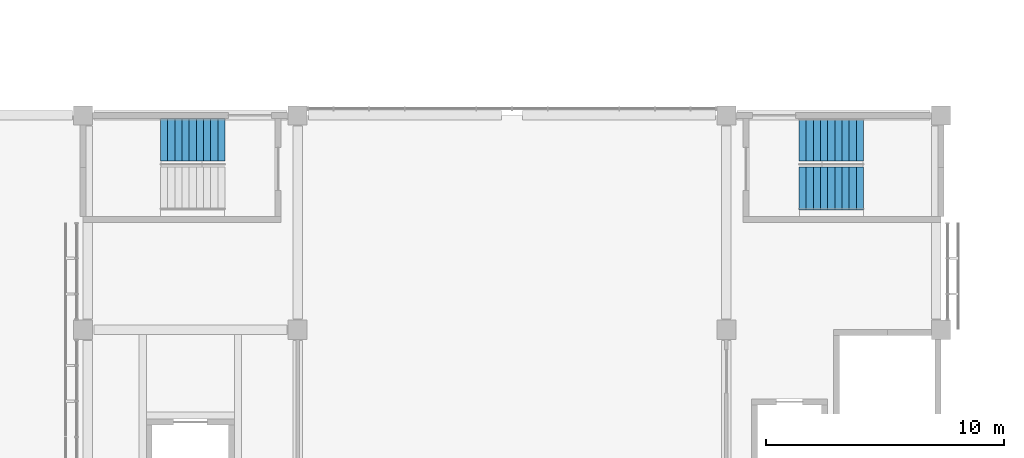
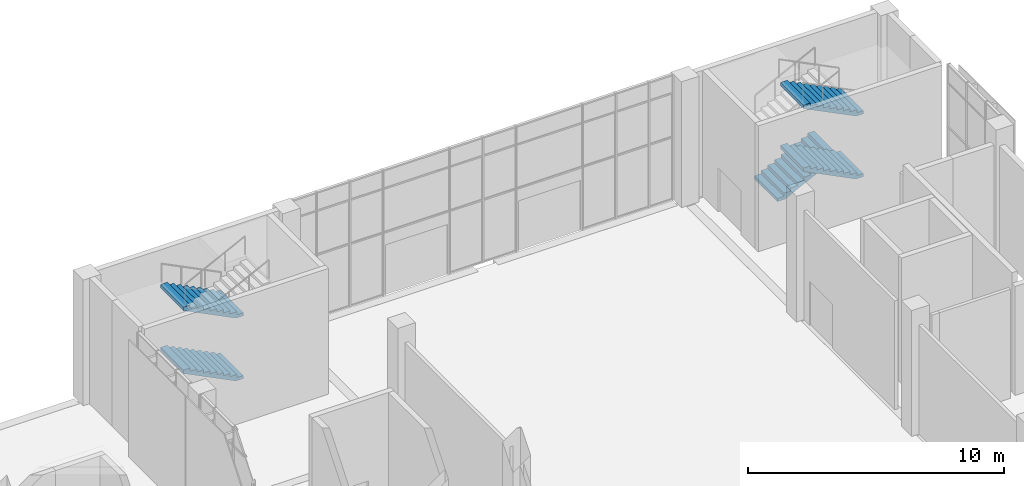
# One storey, part 73 of 86: 5 stair flights, 2 elements without a shape of their own.
"""IFC4 building model written with IfcOpenShell, lengths in metres."""

from ifc_helpers import new_model, si_unit, direction, frame, origin, place, context, subcontext, project, spatial, faceted_brep, material, type_object, element, aggregate, save


model = new_model("IFC4")

# Units and contexts
model_context = context("Model", 3, precision=1e-05, world=origin(), true_north=direction((0.0, 1.0)))
body_context = subcontext(model_context, "Body", "Model", "MODEL_VIEW")
ifc_project = project(units=[si_unit("LENGTHUNIT", "METRE"), si_unit("AREAUNIT", "SQUARE_METRE"), si_unit("VOLUMEUNIT", "CUBIC_METRE"), si_unit("PLANEANGLEUNIT", "RADIAN"), si_unit("MASSUNIT", "GRAM", prefix="KILO")], contexts=[model_context])

# Site, building, storey
site_placement = place(None, origin())
site = spatial("IfcSite", under=ifc_project, at=site_placement, CompositionType="ELEMENT")
building_placement = place(site_placement, origin())
building = spatial("IfcBuilding", under=site, at=building_placement, Name="Guidao Yard Department Store", CompositionType="ELEMENT")
storey_placement = place(building_placement, origin())
storey = spatial("IfcBuildingStorey", under=building, at=storey_placement, Name="L00", CompositionType="ELEMENT", Elevation=0.0)

# Stair, stair flights
ifc_material_1 = material(Name="Concrete C35", Category="concrete")
stair_type = type_object("IfcStairType", Name="Stair double-return four-flight 1800 wide 6.0 m rise", PredefinedType="DOUBLE_RETURN_STAIR", material=ifc_material_1)
stair_1_placement = place(storey_placement, origin())
stair_1 = element("IfcStair", 1, at=stair_1_placement, inside=storey, type_object=stair_type, Name="Stair G2 L00 to L01", PredefinedType="DOUBLE_RETURN_STAIR")
ifc_material_2 = material(Name="Concrete C35", Category="concrete")
stair_flight_type = type_object("IfcStairFlightType", Name="Stair flight RC straight 1800 wide 10 risers x 300 going C35", PredefinedType="STRAIGHT", material=ifc_material_2)
stair_flight_1_placement = place(storey_placement, frame((77.949951171875, 106.97509765625, 0.0), z_axis=(0.0, 0.0, 1.0), x_axis=(-1.0, 0.0, 0.0)))
stair_flight_1 = element("IfcStairFlight", 2, at=stair_flight_1_placement, type_object=stair_flight_type, Name="SG2-L00 flight 1", NumberOfRisers=10, NumberOfTreads=9, PredefinedType="STRAIGHT", RiserHeight=0.15, TreadLength=0.3, context=body_context, shape_type="Brep", body=[
    faceted_brep([(0.0, 0.89990234375, 0.0), (0.0, 0.89990234375, 0.14990234375), (0.300048828125, 0.89990234375, 0.14990234375), (0.300048828125, 0.89990234375, 0.300048828125), (0.60009765625, 0.89990234375, 0.300048828125), (0.60009765625, 0.89990234375, 0.449951171875), (0.89990234375, 0.89990234375, 0.449951171875), (0.89990234375, 0.89990234375, 0.60009765625), (1.199951171875, 0.89990234375, 0.60009765625), (1.199951171875, 0.89990234375, 0.75), (1.5, 0.89990234375, 0.75), (1.5, 0.89990234375, 0.89990234375), (1.800048828125, 0.89990234375, 0.89990234375), (1.800048828125, 0.89990234375, 1.050048828125), (2.10009765625, 0.89990234375, 1.050048828125), (2.10009765625, 0.89990234375, 1.199951171875), (2.39990234375, 0.89990234375, 1.199951171875), (2.39990234375, 0.89990234375, 1.35009765625), (2.699951171875, 0.89990234375, 1.35009765625), (2.699951171875, 0.89990234375, 1.182373046875), (0.335205078125, 0.89990234375, 0.0), (0.335205078125, -0.89990234375, 0.0), (2.699951171875, -0.89990234375, 1.182373046875), (2.699951171875, -0.89990234375, 1.35009765625), (2.39990234375, -0.89990234375, 1.35009765625), (2.39990234375, -0.89990234375, 1.199951171875), (2.10009765625, -0.89990234375, 1.199951171875), (2.10009765625, -0.89990234375, 1.050048828125), (1.800048828125, -0.89990234375, 1.050048828125), (1.800048828125, -0.89990234375, 0.89990234375), (1.5, -0.89990234375, 0.89990234375), (1.5, -0.89990234375, 0.75), (1.199951171875, -0.89990234375, 0.75), (1.199951171875, -0.89990234375, 0.60009765625), (0.89990234375, -0.89990234375, 0.60009765625), (0.89990234375, -0.89990234375, 0.449951171875), (0.60009765625, -0.89990234375, 0.449951171875), (0.60009765625, -0.89990234375, 0.300048828125), (0.300048828125, -0.89990234375, 0.300048828125), (0.300048828125, -0.89990234375, 0.14990234375), (0.0, -0.89990234375, 0.14990234375), (0.0, -0.89990234375, 0.0), (0.0, 0.300048828125, 0.0), (0.0, 0.300048828125, 0.14990234375), (0.0, -0.300048828125, 0.0), (0.0, -0.300048828125, 0.14990234375), (0.300048828125, 0.300048828125, 0.14990234375), (0.300048828125, -0.300048828125, 0.14990234375), (0.300048828125, 0.300048828125, 0.300048828125), (0.300048828125, -0.300048828125, 0.300048828125), (0.60009765625, 0.300048828125, 0.300048828125), (0.60009765625, -0.300048828125, 0.300048828125), (0.60009765625, 0.300048828125, 0.449951171875), (0.60009765625, -0.300048828125, 0.449951171875), (0.89990234375, 0.300048828125, 0.449951171875), (0.89990234375, -0.300048828125, 0.449951171875), (0.89990234375, 0.300048828125, 0.60009765625), (0.89990234375, -0.300048828125, 0.60009765625), (1.199951171875, 0.300048828125, 0.60009765625), (1.199951171875, -0.300048828125, 0.60009765625), (1.199951171875, 0.300048828125, 0.75), (1.199951171875, -0.300048828125, 0.75), (1.5, 0.300048828125, 0.75), (1.5, -0.300048828125, 0.75), (1.5, 0.300048828125, 0.89990234375), (1.5, -0.300048828125, 0.89990234375), (1.800048828125, 0.300048828125, 0.89990234375), (1.800048828125, -0.300048828125, 0.89990234375), (1.800048828125, 0.300048828125, 1.050048828125), (1.800048828125, -0.300048828125, 1.050048828125), (2.10009765625, 0.300048828125, 1.050048828125), (2.10009765625, -0.300048828125, 1.050048828125), (2.10009765625, 0.300048828125, 1.199951171875), (2.10009765625, -0.300048828125, 1.199951171875), (2.39990234375, 0.300048828125, 1.199951171875), (2.39990234375, -0.300048828125, 1.199951171875), (2.39990234375, 0.300048828125, 1.35009765625), (2.39990234375, -0.300048828125, 1.35009765625), (2.699951171875, 0.300048828125, 1.35009765625), (2.699951171875, -0.300048828125, 1.35009765625), (2.699951171875, 0.300048828125, 1.182373046875), (2.699951171875, -0.300048828125, 1.182373046875), (0.335205078125, 0.300048828125, 0.0), (0.335205078125, -0.300048828125, 0.0)], [[[0, 1, 2, 3, 4, 5, 6, 7, 8, 9, 10, 11, 12, 13, 14, 15, 16, 17, 18, 19, 20]], [[21, 22, 23, 24, 25, 26, 27, 28, 29, 30, 31, 32, 33, 34, 35, 36, 37, 38, 39, 40, 41]], [[42, 43, 1, 0]], [[44, 45, 43, 42]], [[41, 40, 45, 44]], [[43, 46, 2, 1]], [[45, 47, 46, 43]], [[40, 39, 47, 45]], [[46, 48, 3, 2]], [[47, 49, 48, 46]], [[39, 38, 49, 47]], [[48, 50, 4, 3]], [[49, 51, 50, 48]], [[38, 37, 51, 49]], [[50, 52, 5, 4]], [[51, 53, 52, 50]], [[37, 36, 53, 51]], [[52, 54, 6, 5]], [[53, 55, 54, 52]], [[36, 35, 55, 53]], [[54, 56, 7, 6]], [[55, 57, 56, 54]], [[35, 34, 57, 55]], [[56, 58, 8, 7]], [[57, 59, 58, 56]], [[34, 33, 59, 57]], [[58, 60, 9, 8]], [[59, 61, 60, 58]], [[33, 32, 61, 59]], [[60, 62, 10, 9]], [[61, 63, 62, 60]], [[32, 31, 63, 61]], [[62, 64, 11, 10]], [[63, 65, 64, 62]], [[31, 30, 65, 63]], [[64, 66, 12, 11]], [[65, 67, 66, 64]], [[30, 29, 67, 65]], [[66, 68, 13, 12]], [[67, 69, 68, 66]], [[29, 28, 69, 67]], [[68, 70, 14, 13]], [[69, 71, 70, 68]], [[28, 27, 71, 69]], [[70, 72, 15, 14]], [[71, 73, 72, 70]], [[27, 26, 73, 71]], [[72, 74, 16, 15]], [[73, 75, 74, 72]], [[26, 25, 75, 73]], [[74, 76, 17, 16]], [[75, 77, 76, 74]], [[25, 24, 77, 75]], [[76, 78, 18, 17]], [[77, 79, 78, 76]], [[24, 23, 79, 77]], [[78, 80, 19, 18]], [[79, 81, 80, 78]], [[23, 22, 81, 79]], [[80, 82, 20, 19]], [[81, 83, 82, 80]], [[22, 21, 83, 81]], [[82, 42, 0, 20]], [[83, 44, 42, 82]], [[21, 41, 44, 83]]]),
])
stair_flight_2_placement = place(storey_placement, frame((77.949951171875, 106.97509765625, 3.0), z_axis=(0.0, 0.0, 1.0), x_axis=(-1.0, 0.0, 0.0)))
stair_flight_2 = element("IfcStairFlight", 3, at=stair_flight_2_placement, type_object=stair_flight_type, Name="SG2-L00 flight 3", NumberOfRisers=10, NumberOfTreads=9, PredefinedType="STRAIGHT", RiserHeight=0.15, TreadLength=0.3, context=body_context, shape_type="Brep", body=[
    faceted_brep([(0.0, 0.89990234375, 0.0), (0.0, 0.89990234375, 0.14990234375), (0.300048828125, 0.89990234375, 0.14990234375), (0.300048828125, 0.89990234375, 0.300048828125), (0.60009765625, 0.89990234375, 0.300048828125), (0.60009765625, 0.89990234375, 0.449951171875), (0.89990234375, 0.89990234375, 0.449951171875), (0.89990234375, 0.89990234375, 0.60009765625), (1.199951171875, 0.89990234375, 0.60009765625), (1.199951171875, 0.89990234375, 0.75), (1.5, 0.89990234375, 0.75), (1.5, 0.89990234375, 0.89990234375), (1.800048828125, 0.89990234375, 0.89990234375), (1.800048828125, 0.89990234375, 1.050048828125), (2.10009765625, 0.89990234375, 1.050048828125), (2.10009765625, 0.89990234375, 1.199951171875), (2.39990234375, 0.89990234375, 1.199951171875), (2.39990234375, 0.89990234375, 1.35009765625), (2.699951171875, 0.89990234375, 1.35009765625), (2.699951171875, 0.89990234375, 1.182373046875), (0.335205078125, 0.89990234375, 0.0), (0.335205078125, -0.89990234375, 0.0), (2.699951171875, -0.89990234375, 1.182373046875), (2.699951171875, -0.89990234375, 1.35009765625), (2.39990234375, -0.89990234375, 1.35009765625), (2.39990234375, -0.89990234375, 1.199951171875), (2.10009765625, -0.89990234375, 1.199951171875), (2.10009765625, -0.89990234375, 1.050048828125), (1.800048828125, -0.89990234375, 1.050048828125), (1.800048828125, -0.89990234375, 0.89990234375), (1.5, -0.89990234375, 0.89990234375), (1.5, -0.89990234375, 0.75), (1.199951171875, -0.89990234375, 0.75), (1.199951171875, -0.89990234375, 0.60009765625), (0.89990234375, -0.89990234375, 0.60009765625), (0.89990234375, -0.89990234375, 0.449951171875), (0.60009765625, -0.89990234375, 0.449951171875), (0.60009765625, -0.89990234375, 0.300048828125), (0.300048828125, -0.89990234375, 0.300048828125), (0.300048828125, -0.89990234375, 0.14990234375), (0.0, -0.89990234375, 0.14990234375), (0.0, -0.89990234375, 0.0), (0.0, 0.300048828125, 0.0), (0.0, 0.300048828125, 0.14990234375), (0.0, -0.300048828125, 0.0), (0.0, -0.300048828125, 0.14990234375), (0.300048828125, 0.300048828125, 0.14990234375), (0.300048828125, -0.300048828125, 0.14990234375), (0.300048828125, 0.300048828125, 0.300048828125), (0.300048828125, -0.300048828125, 0.300048828125), (0.60009765625, 0.300048828125, 0.300048828125), (0.60009765625, -0.300048828125, 0.300048828125), (0.60009765625, 0.300048828125, 0.449951171875), (0.60009765625, -0.300048828125, 0.449951171875), (0.89990234375, 0.300048828125, 0.449951171875), (0.89990234375, -0.300048828125, 0.449951171875), (0.89990234375, 0.300048828125, 0.60009765625), (0.89990234375, -0.300048828125, 0.60009765625), (1.199951171875, 0.300048828125, 0.60009765625), (1.199951171875, -0.300048828125, 0.60009765625), (1.199951171875, 0.300048828125, 0.75), (1.199951171875, -0.300048828125, 0.75), (1.5, 0.300048828125, 0.75), (1.5, -0.300048828125, 0.75), (1.5, 0.300048828125, 0.89990234375), (1.5, -0.300048828125, 0.89990234375), (1.800048828125, 0.300048828125, 0.89990234375), (1.800048828125, -0.300048828125, 0.89990234375), (1.800048828125, 0.300048828125, 1.050048828125), (1.800048828125, -0.300048828125, 1.050048828125), (2.10009765625, 0.300048828125, 1.050048828125), (2.10009765625, -0.300048828125, 1.050048828125), (2.10009765625, 0.300048828125, 1.199951171875), (2.10009765625, -0.300048828125, 1.199951171875), (2.39990234375, 0.300048828125, 1.199951171875), (2.39990234375, -0.300048828125, 1.199951171875), (2.39990234375, 0.300048828125, 1.35009765625), (2.39990234375, -0.300048828125, 1.35009765625), (2.699951171875, 0.300048828125, 1.35009765625), (2.699951171875, -0.300048828125, 1.35009765625), (2.699951171875, 0.300048828125, 1.182373046875), (2.699951171875, -0.300048828125, 1.182373046875), (0.335205078125, 0.300048828125, 0.0), (0.335205078125, -0.300048828125, 0.0)], [[[0, 1, 2, 3, 4, 5, 6, 7, 8, 9, 10, 11, 12, 13, 14, 15, 16, 17, 18, 19, 20]], [[21, 22, 23, 24, 25, 26, 27, 28, 29, 30, 31, 32, 33, 34, 35, 36, 37, 38, 39, 40, 41]], [[42, 43, 1, 0]], [[44, 45, 43, 42]], [[41, 40, 45, 44]], [[43, 46, 2, 1]], [[45, 47, 46, 43]], [[40, 39, 47, 45]], [[46, 48, 3, 2]], [[47, 49, 48, 46]], [[39, 38, 49, 47]], [[48, 50, 4, 3]], [[49, 51, 50, 48]], [[38, 37, 51, 49]], [[50, 52, 5, 4]], [[51, 53, 52, 50]], [[37, 36, 53, 51]], [[52, 54, 6, 5]], [[53, 55, 54, 52]], [[36, 35, 55, 53]], [[54, 56, 7, 6]], [[55, 57, 56, 54]], [[35, 34, 57, 55]], [[56, 58, 8, 7]], [[57, 59, 58, 56]], [[34, 33, 59, 57]], [[58, 60, 9, 8]], [[59, 61, 60, 58]], [[33, 32, 61, 59]], [[60, 62, 10, 9]], [[61, 63, 62, 60]], [[32, 31, 63, 61]], [[62, 64, 11, 10]], [[63, 65, 64, 62]], [[31, 30, 65, 63]], [[64, 66, 12, 11]], [[65, 67, 66, 64]], [[30, 29, 67, 65]], [[66, 68, 13, 12]], [[67, 69, 68, 66]], [[29, 28, 69, 67]], [[68, 70, 14, 13]], [[69, 71, 70, 68]], [[28, 27, 71, 69]], [[70, 72, 15, 14]], [[71, 73, 72, 70]], [[27, 26, 73, 71]], [[72, 74, 16, 15]], [[73, 75, 74, 72]], [[26, 25, 75, 73]], [[74, 76, 17, 16]], [[75, 77, 76, 74]], [[25, 24, 77, 75]], [[76, 78, 18, 17]], [[77, 79, 78, 76]], [[24, 23, 79, 77]], [[78, 80, 19, 18]], [[79, 81, 80, 78]], [[23, 22, 81, 79]], [[80, 82, 20, 19]], [[81, 83, 82, 80]], [[22, 21, 83, 81]], [[82, 42, 0, 20]], [[83, 44, 42, 82]], [[21, 41, 44, 83]]]),
])
aggregate(stair_1, [stair_flight_1, stair_flight_2])

stair_2_placement = place(storey_placement, origin())
stair_2 = element("IfcStair", 4, at=stair_2_placement, inside=storey, type_object=stair_type, Name="Stair G4 L00 to L01", PredefinedType="DOUBLE_RETURN_STAIR")
stair_flight_3_placement = place(storey_placement, frame((102.050048828125, 106.97509765625, 0.0), z_axis=(0.0, 0.0, 1.0), x_axis=(1.0, 0.0, 0.0)))
stair_flight_3 = element("IfcStairFlight", 5, at=stair_flight_3_placement, type_object=stair_flight_type, Name="SG4-L00 flight 1", NumberOfRisers=10, NumberOfTreads=9, PredefinedType="STRAIGHT", RiserHeight=0.15, TreadLength=0.3, context=body_context, shape_type="Brep", body=[
    faceted_brep([(0.0, 0.89990234375, 0.0), (0.0, 0.89990234375, 0.14990234375), (0.300048828125, 0.89990234375, 0.14990234375), (0.300048828125, 0.89990234375, 0.300048828125), (0.60009765625, 0.89990234375, 0.300048828125), (0.60009765625, 0.89990234375, 0.449951171875), (0.89990234375, 0.89990234375, 0.449951171875), (0.89990234375, 0.89990234375, 0.60009765625), (1.199951171875, 0.89990234375, 0.60009765625), (1.199951171875, 0.89990234375, 0.75), (1.5, 0.89990234375, 0.75), (1.5, 0.89990234375, 0.89990234375), (1.800048828125, 0.89990234375, 0.89990234375), (1.800048828125, 0.89990234375, 1.050048828125), (2.10009765625, 0.89990234375, 1.050048828125), (2.10009765625, 0.89990234375, 1.199951171875), (2.39990234375, 0.89990234375, 1.199951171875), (2.39990234375, 0.89990234375, 1.35009765625), (2.699951171875, 0.89990234375, 1.35009765625), (2.699951171875, 0.89990234375, 1.182373046875), (0.335205078125, 0.89990234375, 0.0), (0.335205078125, -0.89990234375, 0.0), (2.699951171875, -0.89990234375, 1.182373046875), (2.699951171875, -0.89990234375, 1.35009765625), (2.39990234375, -0.89990234375, 1.35009765625), (2.39990234375, -0.89990234375, 1.199951171875), (2.10009765625, -0.89990234375, 1.199951171875), (2.10009765625, -0.89990234375, 1.050048828125), (1.800048828125, -0.89990234375, 1.050048828125), (1.800048828125, -0.89990234375, 0.89990234375), (1.5, -0.89990234375, 0.89990234375), (1.5, -0.89990234375, 0.75), (1.199951171875, -0.89990234375, 0.75), (1.199951171875, -0.89990234375, 0.60009765625), (0.89990234375, -0.89990234375, 0.60009765625), (0.89990234375, -0.89990234375, 0.449951171875), (0.60009765625, -0.89990234375, 0.449951171875), (0.60009765625, -0.89990234375, 0.300048828125), (0.300048828125, -0.89990234375, 0.300048828125), (0.300048828125, -0.89990234375, 0.14990234375), (0.0, -0.89990234375, 0.14990234375), (0.0, -0.89990234375, 0.0), (0.0, 0.300048828125, 0.0), (0.0, 0.300048828125, 0.14990234375), (0.0, -0.300048828125, 0.0), (0.0, -0.300048828125, 0.14990234375), (0.300048828125, 0.300048828125, 0.14990234375), (0.300048828125, -0.300048828125, 0.14990234375), (0.300048828125, 0.300048828125, 0.300048828125), (0.300048828125, -0.300048828125, 0.300048828125), (0.60009765625, 0.300048828125, 0.300048828125), (0.60009765625, -0.300048828125, 0.300048828125), (0.60009765625, 0.300048828125, 0.449951171875), (0.60009765625, -0.300048828125, 0.449951171875), (0.89990234375, 0.300048828125, 0.449951171875), (0.89990234375, -0.300048828125, 0.449951171875), (0.89990234375, 0.300048828125, 0.60009765625), (0.89990234375, -0.300048828125, 0.60009765625), (1.199951171875, 0.300048828125, 0.60009765625), (1.199951171875, -0.300048828125, 0.60009765625), (1.199951171875, 0.300048828125, 0.75), (1.199951171875, -0.300048828125, 0.75), (1.5, 0.300048828125, 0.75), (1.5, -0.300048828125, 0.75), (1.5, 0.300048828125, 0.89990234375), (1.5, -0.300048828125, 0.89990234375), (1.800048828125, 0.300048828125, 0.89990234375), (1.800048828125, -0.300048828125, 0.89990234375), (1.800048828125, 0.300048828125, 1.050048828125), (1.800048828125, -0.300048828125, 1.050048828125), (2.10009765625, 0.300048828125, 1.050048828125), (2.10009765625, -0.300048828125, 1.050048828125), (2.10009765625, 0.300048828125, 1.199951171875), (2.10009765625, -0.300048828125, 1.199951171875), (2.39990234375, 0.300048828125, 1.199951171875), (2.39990234375, -0.300048828125, 1.199951171875), (2.39990234375, 0.300048828125, 1.35009765625), (2.39990234375, -0.300048828125, 1.35009765625), (2.699951171875, 0.300048828125, 1.35009765625), (2.699951171875, -0.300048828125, 1.35009765625), (2.699951171875, 0.300048828125, 1.182373046875), (2.699951171875, -0.300048828125, 1.182373046875), (0.335205078125, 0.300048828125, 0.0), (0.335205078125, -0.300048828125, 0.0)], [[[0, 1, 2, 3, 4, 5, 6, 7, 8, 9, 10, 11, 12, 13, 14, 15, 16, 17, 18, 19, 20]], [[21, 22, 23, 24, 25, 26, 27, 28, 29, 30, 31, 32, 33, 34, 35, 36, 37, 38, 39, 40, 41]], [[42, 43, 1, 0]], [[44, 45, 43, 42]], [[41, 40, 45, 44]], [[43, 46, 2, 1]], [[45, 47, 46, 43]], [[40, 39, 47, 45]], [[46, 48, 3, 2]], [[47, 49, 48, 46]], [[39, 38, 49, 47]], [[48, 50, 4, 3]], [[49, 51, 50, 48]], [[38, 37, 51, 49]], [[50, 52, 5, 4]], [[51, 53, 52, 50]], [[37, 36, 53, 51]], [[52, 54, 6, 5]], [[53, 55, 54, 52]], [[36, 35, 55, 53]], [[54, 56, 7, 6]], [[55, 57, 56, 54]], [[35, 34, 57, 55]], [[56, 58, 8, 7]], [[57, 59, 58, 56]], [[34, 33, 59, 57]], [[58, 60, 9, 8]], [[59, 61, 60, 58]], [[33, 32, 61, 59]], [[60, 62, 10, 9]], [[61, 63, 62, 60]], [[32, 31, 63, 61]], [[62, 64, 11, 10]], [[63, 65, 64, 62]], [[31, 30, 65, 63]], [[64, 66, 12, 11]], [[65, 67, 66, 64]], [[30, 29, 67, 65]], [[66, 68, 13, 12]], [[67, 69, 68, 66]], [[29, 28, 69, 67]], [[68, 70, 14, 13]], [[69, 71, 70, 68]], [[28, 27, 71, 69]], [[70, 72, 15, 14]], [[71, 73, 72, 70]], [[27, 26, 73, 71]], [[72, 74, 16, 15]], [[73, 75, 74, 72]], [[26, 25, 75, 73]], [[74, 76, 17, 16]], [[75, 77, 76, 74]], [[25, 24, 77, 75]], [[76, 78, 18, 17]], [[77, 79, 78, 76]], [[24, 23, 79, 77]], [[78, 80, 19, 18]], [[79, 81, 80, 78]], [[23, 22, 81, 79]], [[80, 82, 20, 19]], [[81, 83, 82, 80]], [[22, 21, 83, 81]], [[82, 42, 0, 20]], [[83, 44, 42, 82]], [[21, 41, 44, 83]]]),
])
stair_flight_4_placement = place(storey_placement, frame((104.75, 104.925048828125, 1.5), z_axis=(0.0, 0.0, 1.0), x_axis=(-1.0, 0.0, 0.0)))
stair_flight_4 = element("IfcStairFlight", 6, at=stair_flight_4_placement, type_object=stair_flight_type, Name="SG4-L00 flight 2", NumberOfRisers=10, NumberOfTreads=9, PredefinedType="STRAIGHT", RiserHeight=0.15, TreadLength=0.3, context=body_context, shape_type="Brep", body=[
    faceted_brep([(0.0, 0.89990234375, 0.0), (0.0, 0.89990234375, 0.14990234375), (0.300048828125, 0.89990234375, 0.14990234375), (0.300048828125, 0.89990234375, 0.300048828125), (0.60009765625, 0.89990234375, 0.300048828125), (0.60009765625, 0.89990234375, 0.449951171875), (0.89990234375, 0.89990234375, 0.449951171875), (0.89990234375, 0.89990234375, 0.60009765625), (1.199951171875, 0.89990234375, 0.60009765625), (1.199951171875, 0.89990234375, 0.75), (1.5, 0.89990234375, 0.75), (1.5, 0.89990234375, 0.89990234375), (1.800048828125, 0.89990234375, 0.89990234375), (1.800048828125, 0.89990234375, 1.050048828125), (2.10009765625, 0.89990234375, 1.050048828125), (2.10009765625, 0.89990234375, 1.199951171875), (2.39990234375, 0.89990234375, 1.199951171875), (2.39990234375, 0.89990234375, 1.35009765625), (2.699951171875, 0.89990234375, 1.35009765625), (2.699951171875, 0.89990234375, 1.182373046875), (0.335205078125, 0.89990234375, 0.0), (0.335205078125, -0.89990234375, 0.0), (2.699951171875, -0.89990234375, 1.182373046875), (2.699951171875, -0.89990234375, 1.35009765625), (2.39990234375, -0.89990234375, 1.35009765625), (2.39990234375, -0.89990234375, 1.199951171875), (2.10009765625, -0.89990234375, 1.199951171875), (2.10009765625, -0.89990234375, 1.050048828125), (1.800048828125, -0.89990234375, 1.050048828125), (1.800048828125, -0.89990234375, 0.89990234375), (1.5, -0.89990234375, 0.89990234375), (1.5, -0.89990234375, 0.75), (1.199951171875, -0.89990234375, 0.75), (1.199951171875, -0.89990234375, 0.60009765625), (0.89990234375, -0.89990234375, 0.60009765625), (0.89990234375, -0.89990234375, 0.449951171875), (0.60009765625, -0.89990234375, 0.449951171875), (0.60009765625, -0.89990234375, 0.300048828125), (0.300048828125, -0.89990234375, 0.300048828125), (0.300048828125, -0.89990234375, 0.14990234375), (0.0, -0.89990234375, 0.14990234375), (0.0, -0.89990234375, 0.0), (0.0, 0.300048828125, 0.0), (0.0, 0.300048828125, 0.14990234375), (0.0, -0.300048828125, 0.0), (0.0, -0.300048828125, 0.14990234375), (0.300048828125, 0.300048828125, 0.14990234375), (0.300048828125, -0.300048828125, 0.14990234375), (0.300048828125, 0.300048828125, 0.300048828125), (0.300048828125, -0.300048828125, 0.300048828125), (0.60009765625, 0.300048828125, 0.300048828125), (0.60009765625, -0.300048828125, 0.300048828125), (0.60009765625, 0.300048828125, 0.449951171875), (0.60009765625, -0.300048828125, 0.449951171875), (0.89990234375, 0.300048828125, 0.449951171875), (0.89990234375, -0.300048828125, 0.449951171875), (0.89990234375, 0.300048828125, 0.60009765625), (0.89990234375, -0.300048828125, 0.60009765625), (1.199951171875, 0.300048828125, 0.60009765625), (1.199951171875, -0.300048828125, 0.60009765625), (1.199951171875, 0.300048828125, 0.75), (1.199951171875, -0.300048828125, 0.75), (1.5, 0.300048828125, 0.75), (1.5, -0.300048828125, 0.75), (1.5, 0.300048828125, 0.89990234375), (1.5, -0.300048828125, 0.89990234375), (1.800048828125, 0.300048828125, 0.89990234375), (1.800048828125, -0.300048828125, 0.89990234375), (1.800048828125, 0.300048828125, 1.050048828125), (1.800048828125, -0.300048828125, 1.050048828125), (2.10009765625, 0.300048828125, 1.050048828125), (2.10009765625, -0.300048828125, 1.050048828125), (2.10009765625, 0.300048828125, 1.199951171875), (2.10009765625, -0.300048828125, 1.199951171875), (2.39990234375, 0.300048828125, 1.199951171875), (2.39990234375, -0.300048828125, 1.199951171875), (2.39990234375, 0.300048828125, 1.35009765625), (2.39990234375, -0.300048828125, 1.35009765625), (2.699951171875, 0.300048828125, 1.35009765625), (2.699951171875, -0.300048828125, 1.35009765625), (2.699951171875, 0.300048828125, 1.182373046875), (2.699951171875, -0.300048828125, 1.182373046875), (0.335205078125, 0.300048828125, 0.0), (0.335205078125, -0.300048828125, 0.0)], [[[0, 1, 2, 3, 4, 5, 6, 7, 8, 9, 10, 11, 12, 13, 14, 15, 16, 17, 18, 19, 20]], [[21, 22, 23, 24, 25, 26, 27, 28, 29, 30, 31, 32, 33, 34, 35, 36, 37, 38, 39, 40, 41]], [[42, 43, 1, 0]], [[44, 45, 43, 42]], [[41, 40, 45, 44]], [[43, 46, 2, 1]], [[45, 47, 46, 43]], [[40, 39, 47, 45]], [[46, 48, 3, 2]], [[47, 49, 48, 46]], [[39, 38, 49, 47]], [[48, 50, 4, 3]], [[49, 51, 50, 48]], [[38, 37, 51, 49]], [[50, 52, 5, 4]], [[51, 53, 52, 50]], [[37, 36, 53, 51]], [[52, 54, 6, 5]], [[53, 55, 54, 52]], [[36, 35, 55, 53]], [[54, 56, 7, 6]], [[55, 57, 56, 54]], [[35, 34, 57, 55]], [[56, 58, 8, 7]], [[57, 59, 58, 56]], [[34, 33, 59, 57]], [[58, 60, 9, 8]], [[59, 61, 60, 58]], [[33, 32, 61, 59]], [[60, 62, 10, 9]], [[61, 63, 62, 60]], [[32, 31, 63, 61]], [[62, 64, 11, 10]], [[63, 65, 64, 62]], [[31, 30, 65, 63]], [[64, 66, 12, 11]], [[65, 67, 66, 64]], [[30, 29, 67, 65]], [[66, 68, 13, 12]], [[67, 69, 68, 66]], [[29, 28, 69, 67]], [[68, 70, 14, 13]], [[69, 71, 70, 68]], [[28, 27, 71, 69]], [[70, 72, 15, 14]], [[71, 73, 72, 70]], [[27, 26, 73, 71]], [[72, 74, 16, 15]], [[73, 75, 74, 72]], [[26, 25, 75, 73]], [[74, 76, 17, 16]], [[75, 77, 76, 74]], [[25, 24, 77, 75]], [[76, 78, 18, 17]], [[77, 79, 78, 76]], [[24, 23, 79, 77]], [[78, 80, 19, 18]], [[79, 81, 80, 78]], [[23, 22, 81, 79]], [[80, 82, 20, 19]], [[81, 83, 82, 80]], [[22, 21, 83, 81]], [[82, 42, 0, 20]], [[83, 44, 42, 82]], [[21, 41, 44, 83]]]),
])
stair_flight_5_placement = place(storey_placement, frame((104.75, 104.925048828125, 4.5), z_axis=(0.0, 0.0, 1.0), x_axis=(-1.0, 0.0, 0.0)))
stair_flight_5 = element("IfcStairFlight", 7, at=stair_flight_5_placement, type_object=stair_flight_type, Name="SG4-L00 flight 4", NumberOfRisers=10, NumberOfTreads=9, PredefinedType="STRAIGHT", RiserHeight=0.15, TreadLength=0.3, context=body_context, shape_type="Brep", body=[
    faceted_brep([(0.0, 0.89990234375, 0.0), (0.0, 0.89990234375, 0.14990234375), (0.300048828125, 0.89990234375, 0.14990234375), (0.300048828125, 0.89990234375, 0.300048828125), (0.60009765625, 0.89990234375, 0.300048828125), (0.60009765625, 0.89990234375, 0.449951171875), (0.89990234375, 0.89990234375, 0.449951171875), (0.89990234375, 0.89990234375, 0.60009765625), (1.199951171875, 0.89990234375, 0.60009765625), (1.199951171875, 0.89990234375, 0.75), (1.5, 0.89990234375, 0.75), (1.5, 0.89990234375, 0.89990234375), (1.800048828125, 0.89990234375, 0.89990234375), (1.800048828125, 0.89990234375, 1.050048828125), (2.10009765625, 0.89990234375, 1.050048828125), (2.10009765625, 0.89990234375, 1.199951171875), (2.39990234375, 0.89990234375, 1.199951171875), (2.39990234375, 0.89990234375, 1.35009765625), (2.699951171875, 0.89990234375, 1.35009765625), (2.699951171875, 0.89990234375, 1.182373046875), (0.335205078125, 0.89990234375, 0.0), (0.335205078125, -0.89990234375, 0.0), (2.699951171875, -0.89990234375, 1.182373046875), (2.699951171875, -0.89990234375, 1.35009765625), (2.39990234375, -0.89990234375, 1.35009765625), (2.39990234375, -0.89990234375, 1.199951171875), (2.10009765625, -0.89990234375, 1.199951171875), (2.10009765625, -0.89990234375, 1.050048828125), (1.800048828125, -0.89990234375, 1.050048828125), (1.800048828125, -0.89990234375, 0.89990234375), (1.5, -0.89990234375, 0.89990234375), (1.5, -0.89990234375, 0.75), (1.199951171875, -0.89990234375, 0.75), (1.199951171875, -0.89990234375, 0.60009765625), (0.89990234375, -0.89990234375, 0.60009765625), (0.89990234375, -0.89990234375, 0.449951171875), (0.60009765625, -0.89990234375, 0.449951171875), (0.60009765625, -0.89990234375, 0.300048828125), (0.300048828125, -0.89990234375, 0.300048828125), (0.300048828125, -0.89990234375, 0.14990234375), (0.0, -0.89990234375, 0.14990234375), (0.0, -0.89990234375, 0.0), (0.0, 0.300048828125, 0.0), (0.0, 0.300048828125, 0.14990234375), (0.0, -0.300048828125, 0.0), (0.0, -0.300048828125, 0.14990234375), (0.300048828125, 0.300048828125, 0.14990234375), (0.300048828125, -0.300048828125, 0.14990234375), (0.300048828125, 0.300048828125, 0.300048828125), (0.300048828125, -0.300048828125, 0.300048828125), (0.60009765625, 0.300048828125, 0.300048828125), (0.60009765625, -0.300048828125, 0.300048828125), (0.60009765625, 0.300048828125, 0.449951171875), (0.60009765625, -0.300048828125, 0.449951171875), (0.89990234375, 0.300048828125, 0.449951171875), (0.89990234375, -0.300048828125, 0.449951171875), (0.89990234375, 0.300048828125, 0.60009765625), (0.89990234375, -0.300048828125, 0.60009765625), (1.199951171875, 0.300048828125, 0.60009765625), (1.199951171875, -0.300048828125, 0.60009765625), (1.199951171875, 0.300048828125, 0.75), (1.199951171875, -0.300048828125, 0.75), (1.5, 0.300048828125, 0.75), (1.5, -0.300048828125, 0.75), (1.5, 0.300048828125, 0.89990234375), (1.5, -0.300048828125, 0.89990234375), (1.800048828125, 0.300048828125, 0.89990234375), (1.800048828125, -0.300048828125, 0.89990234375), (1.800048828125, 0.300048828125, 1.050048828125), (1.800048828125, -0.300048828125, 1.050048828125), (2.10009765625, 0.300048828125, 1.050048828125), (2.10009765625, -0.300048828125, 1.050048828125), (2.10009765625, 0.300048828125, 1.199951171875), (2.10009765625, -0.300048828125, 1.199951171875), (2.39990234375, 0.300048828125, 1.199951171875), (2.39990234375, -0.300048828125, 1.199951171875), (2.39990234375, 0.300048828125, 1.35009765625), (2.39990234375, -0.300048828125, 1.35009765625), (2.699951171875, 0.300048828125, 1.35009765625), (2.699951171875, -0.300048828125, 1.35009765625), (2.699951171875, 0.300048828125, 1.182373046875), (2.699951171875, -0.300048828125, 1.182373046875), (0.335205078125, 0.300048828125, 0.0), (0.335205078125, -0.300048828125, 0.0)], [[[0, 1, 2, 3, 4, 5, 6, 7, 8, 9, 10, 11, 12, 13, 14, 15, 16, 17, 18, 19, 20]], [[21, 22, 23, 24, 25, 26, 27, 28, 29, 30, 31, 32, 33, 34, 35, 36, 37, 38, 39, 40, 41]], [[42, 43, 1, 0]], [[44, 45, 43, 42]], [[41, 40, 45, 44]], [[43, 46, 2, 1]], [[45, 47, 46, 43]], [[40, 39, 47, 45]], [[46, 48, 3, 2]], [[47, 49, 48, 46]], [[39, 38, 49, 47]], [[48, 50, 4, 3]], [[49, 51, 50, 48]], [[38, 37, 51, 49]], [[50, 52, 5, 4]], [[51, 53, 52, 50]], [[37, 36, 53, 51]], [[52, 54, 6, 5]], [[53, 55, 54, 52]], [[36, 35, 55, 53]], [[54, 56, 7, 6]], [[55, 57, 56, 54]], [[35, 34, 57, 55]], [[56, 58, 8, 7]], [[57, 59, 58, 56]], [[34, 33, 59, 57]], [[58, 60, 9, 8]], [[59, 61, 60, 58]], [[33, 32, 61, 59]], [[60, 62, 10, 9]], [[61, 63, 62, 60]], [[32, 31, 63, 61]], [[62, 64, 11, 10]], [[63, 65, 64, 62]], [[31, 30, 65, 63]], [[64, 66, 12, 11]], [[65, 67, 66, 64]], [[30, 29, 67, 65]], [[66, 68, 13, 12]], [[67, 69, 68, 66]], [[29, 28, 69, 67]], [[68, 70, 14, 13]], [[69, 71, 70, 68]], [[28, 27, 71, 69]], [[70, 72, 15, 14]], [[71, 73, 72, 70]], [[27, 26, 73, 71]], [[72, 74, 16, 15]], [[73, 75, 74, 72]], [[26, 25, 75, 73]], [[74, 76, 17, 16]], [[75, 77, 76, 74]], [[25, 24, 77, 75]], [[76, 78, 18, 17]], [[77, 79, 78, 76]], [[24, 23, 79, 77]], [[78, 80, 19, 18]], [[79, 81, 80, 78]], [[23, 22, 81, 79]], [[80, 82, 20, 19]], [[81, 83, 82, 80]], [[22, 21, 83, 81]], [[82, 42, 0, 20]], [[83, 44, 42, 82]], [[21, 41, 44, 83]]]),
])
aggregate(stair_2, [stair_flight_3, stair_flight_4, stair_flight_5])

save(model, "model.ifc")
